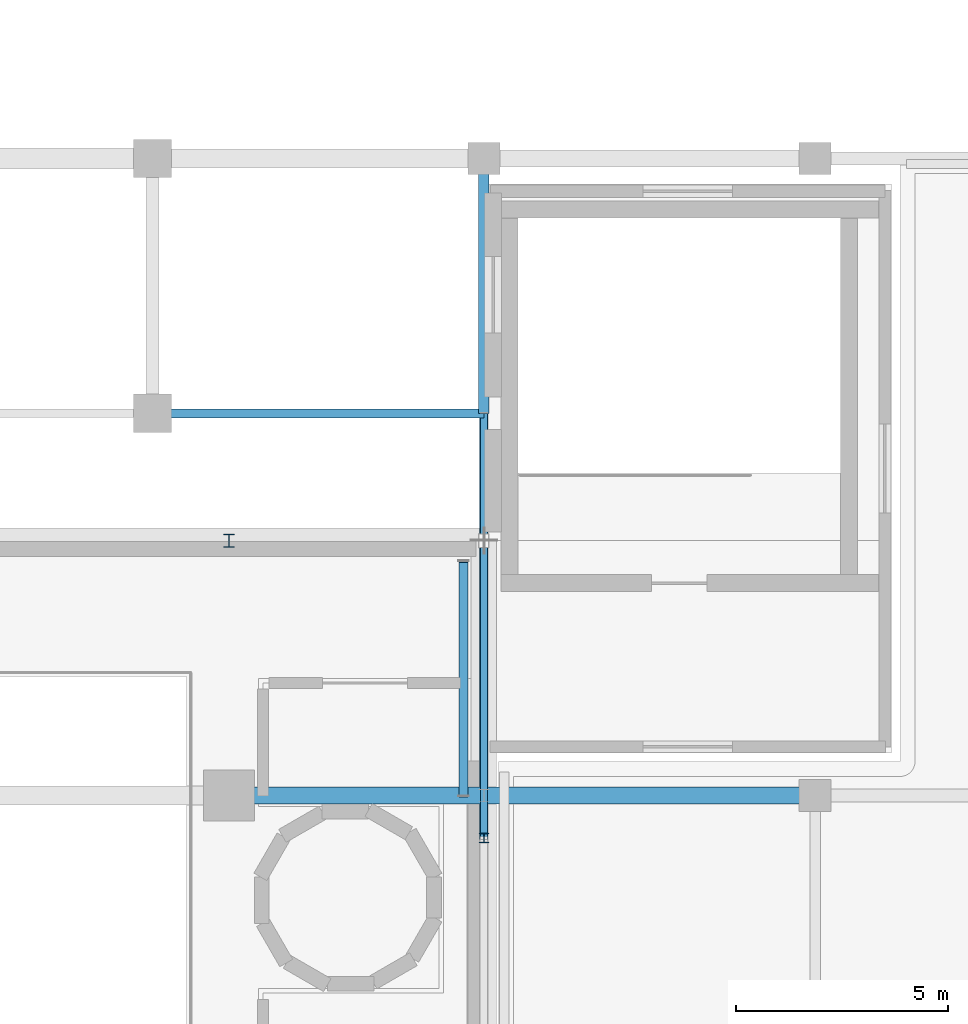
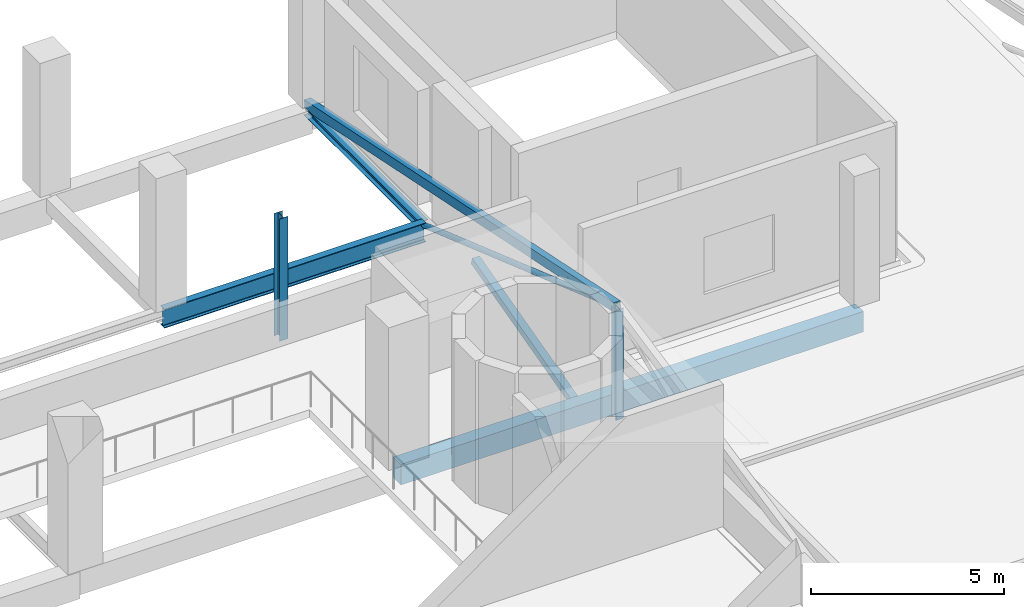
# One storey, part 36 of 85: 6 members, 2 beams.
"""IFC4 building model written with IfcOpenShell, lengths in metres."""

from ifc_helpers import new_model, si_unit, derived_unit, direction, frame, origin, origin_2d, place, context, subcontext, project, spatial, rectangle, hollow_rectangle, hollow_circle, i_section, extrude, material, material_profile, profile_set, type_object, element, save


model = new_model("IFC4")

# Units and contexts
model_context = context("Model", 3, precision=1e-05, world=origin(), true_north=direction((0.0, 1.0)))
body_context = subcontext(model_context, "Body", "Model", "MODEL_VIEW")
ifc_project = project(units=[si_unit("LENGTHUNIT", "METRE"), si_unit("AREAUNIT", "SQUARE_METRE"), si_unit("VOLUMEUNIT", "CUBIC_METRE"), si_unit("PLANEANGLEUNIT", "RADIAN"), si_unit("MASSUNIT", "GRAM", prefix="KILO"), derived_unit("THERMALTRANSMITTANCEUNIT", [(si_unit("POWERUNIT", "WATT"), 1), (si_unit("LENGTHUNIT", "METRE"), -2), (si_unit("THERMODYNAMICTEMPERATUREUNIT", "KELVIN"), -1)])], contexts=[model_context])

# Site, building, storey
site_placement = place(None, origin())
site = spatial("IfcSite", under=ifc_project, at=site_placement, CompositionType="ELEMENT")
building_placement = place(site_placement, origin())
building = spatial("IfcBuilding", under=site, at=building_placement, Name="Nallur Shell Playhouse", CompositionType="ELEMENT")
storey_placement = place(building_placement, frame((0.0, 0.0, 19.800048828125)))
storey = spatial("IfcBuildingStorey", under=building, at=storey_placement, Name="L05", CompositionType="ELEMENT", Elevation=19.800048828125)

# Beams
ifc_material_1 = material(Name="Concrete M35", Category="concrete")
ifc_material_profile_1 = material_profile(ifc_material_1, rectangle(XDim=0.39990234375, YDim=0.64990234375, at=origin_2d()), Name="RC 400x650")
ifc_profile_set_1 = profile_set([ifc_material_profile_1], Name="Concrete M35")
beam_type_1 = type_object("IfcBeamType", Name="BM-RC-400x650", PredefinedType="BEAM", material=ifc_profile_set_1)
beam_1_placement = place(storey_placement, frame((112.60009765625, 41.0, -0.5849609375), z_axis=(1.0, 0.0, 0.0), x_axis=(0.0, 1.0, 0.0)))
element("IfcBeam", 1, at=beam_1_placement, inside=storey, type_object=beam_type_1, Name="L05 girder X-E-959", PredefinedType="BEAM", context=body_context, shape_type="SweptSolid", body=[
    extrude(rectangle(XDim=0.39990234375, YDim=0.64990234375, at=origin_2d()), origin(), (0.0, 0.0, 1.0), 13.7998046875),
])
ifc_material_2 = material(Name="Steel E350", Category="steel")
ifc_material_profile_2 = material_profile(ifc_material_2, i_section(OverallWidth=0.2099609375, OverallDepth=0.60009765625, WebThickness=0.011962890625, FlangeThickness=0.020751953125, FilletRadius=0.02001953125, at=origin_2d()), Name="ISMB 600")
ifc_profile_set_2 = profile_set([ifc_material_profile_2], Name="Steel E350")
beam_type_2 = type_object("IfcBeamType", Name="BM-ST-ISMB600", PredefinedType="BEAM", material=ifc_profile_set_2)
beam_2_placement = place(storey_placement, frame((110.800048828125, 50.0, -0.550048828125), z_axis=(1.0, 0.0, 0.0), x_axis=(0.0, 1.0, 0.0)))
element("IfcBeam", 2, at=beam_2_placement, inside=storey, type_object=beam_type_2, Name="L05 girder X-F-968", PredefinedType="BEAM", context=body_context, shape_type="SweptSolid", body=[
    extrude(i_section(OverallWidth=0.2099609375, OverallDepth=0.60009765625, WebThickness=0.011962890625, FlangeThickness=0.020751953125, FilletRadius=0.02001953125, at=origin_2d()), origin(), (0.0, 0.0, 1.0), 7.800048828125),
])

# Members
ifc_material_profile_3 = material_profile(ifc_material_2, i_section(OverallWidth=0.25, OverallDepth=0.300048828125, WebThickness=0.009521484375, FlangeThickness=0.010498046875, FilletRadius=0.010986328125, at=origin_2d()), Name="ISHB 300")
ifc_profile_set_3 = profile_set([ifc_material_profile_3], Name="Steel E350")
member_type_1 = type_object("IfcMemberType", Name="MB-FASCIA-POST", PredefinedType="POST", material=ifc_profile_set_3)
member_1_placement = place(storey_placement, frame((112.60009765625, 47.0, 0.0), z_axis=(0.0, 0.0, 1.0), x_axis=(1.0, 0.0, 0.0)))
element("IfcMember", 3, at=member_1_placement, inside=storey, type_object=member_type_1, Name="Cantilever truss fascia post POST-GB-L05-10", PredefinedType="POST", context=body_context, shape_type="SweptSolid", body=[
    extrude(i_section(OverallWidth=0.25, OverallDepth=0.300048828125, WebThickness=0.009521484375, FlangeThickness=0.010498046875, FilletRadius=0.010986328125, at=origin_2d()), origin(), (0.0, 0.0, 1.0), 3.85595703125),
])
ifc_material_profile_4 = material_profile(ifc_material_2, hollow_rectangle(XDim=0.219970703125, YDim=0.219970703125, WallThickness=0.011962890625, at=origin_2d()), Name="SHS 220x220x12")
ifc_profile_set_4 = profile_set([ifc_material_profile_4], Name="Steel E350")
member_type_2 = type_object("IfcMemberType", Name="MB-FT-BRACE2", PredefinedType="BRACE", material=ifc_profile_set_4)
member_2_placement = place(storey_placement, frame((118.1201171875, 41.0, -0.650146484375), z_axis=(0.0, 0.967179733798, 0.254093216221), x_axis=(-1.0, 0.0, 0.0)))
element("IfcMember", 4, at=member_2_placement, inside=storey, type_object=member_type_2, Name="Gold box fascia brace L05-4", PredefinedType="BRACE", context=body_context, shape_type="SweptSolid", body=[
    extrude(hollow_rectangle(XDim=0.219970703125, YDim=0.219970703125, WallThickness=0.011962890625, at=origin_2d()), origin(), (0.0, 0.0, 1.0), 5.707275390625),
])
ifc_material_profile_5 = material_profile(ifc_material_2, hollow_rectangle(XDim=0.199951171875, YDim=0.300048828125, WallThickness=0.011962890625, at=origin_2d()), Name="RHS 300x200x12")
ifc_profile_set_5 = profile_set([ifc_material_profile_5], Name="Steel E350")
member_type_3 = type_object("IfcMemberType", Name="MB-TR-CHORD1", PredefinedType="CHORD", material=ifc_profile_set_5)
member_3_placement = place(storey_placement, frame((118.60009765625, 40.0, 3.100830078125), z_axis=(0.0, 0.979376403383, -0.202044204311), x_axis=(-1.0, 0.0, 0.0)))
element("IfcMember", 5, at=member_3_placement, inside=storey, type_object=member_type_3, Name="ROOF TRUSS Studio north top chord X=118.6", PredefinedType="CHORD", context=body_context, shape_type="SweptSolid", body=[
    extrude(hollow_rectangle(XDim=0.199951171875, YDim=0.300048828125, WallThickness=0.011962890625, at=origin_2d()), origin(), (0.0, 0.0, 1.0), 16.3369140625),
])
ifc_material_profile_6 = material_profile(ifc_material_2, i_section(OverallWidth=0.25, OverallDepth=0.25, WebThickness=0.0087890625, FlangeThickness=0.009765625, FilletRadius=0.010009765625, at=origin_2d()), Name="ISHB 250")
ifc_profile_set_6 = profile_set([ifc_material_profile_6], Name="Steel E350")
member_type_4 = type_object("IfcMemberType", Name="MB-TR-CHORD2", PredefinedType="CHORD", material=ifc_profile_set_6)
member_4_placement = place(storey_placement, frame((118.60009765625, 50.0, -0.380126953125), z_axis=(0.0, 1.0, 0.0), x_axis=(-1.0, 0.0, 0.0)))
element("IfcMember", 6, at=member_4_placement, inside=storey, type_object=member_type_4, Name="ROOF TRUSS Studio bottom chord X=118.6 (50.0-56.0)", PredefinedType="CHORD", context=body_context, shape_type="SweptSolid", body=[
    extrude(i_section(OverallWidth=0.25, OverallDepth=0.25, WebThickness=0.0087890625, FlangeThickness=0.009765625, FilletRadius=0.010009765625, at=origin_2d()), origin(), (0.0, 0.0, 1.0), 6.0),
])
ifc_material_profile_7 = material_profile(ifc_material_2, i_section(OverallWidth=0.22509765625, OverallDepth=0.22509765625, WebThickness=0.008544921875, FlangeThickness=0.009033203125, FilletRadius=0.010009765625, at=origin_2d()), Name="ISHB 225")
ifc_profile_set_7 = profile_set([ifc_material_profile_7], Name="Steel E350")
member_type_5 = type_object("IfcMemberType", Name="MB-TR-POST", PredefinedType="POST", material=ifc_profile_set_7)
member_5_placement = place(storey_placement, frame((118.60009765625, 40.0, -0.380126953125), z_axis=(0.0, 0.0, 1.0), x_axis=(1.0, 0.0, 0.0)))
element("IfcMember", 7, at=member_5_placement, inside=storey, type_object=member_type_5, Name="ROOF TRUSS Studio king post X=118.6", PredefinedType="POST", context=body_context, shape_type="SweptSolid", body=[
    extrude(i_section(OverallWidth=0.22509765625, OverallDepth=0.22509765625, WebThickness=0.008544921875, FlangeThickness=0.009033203125, FilletRadius=0.010009765625, at=origin_2d()), origin(), (0.0, 0.0, 1.0), 3.48095703125),
])
ifc_material_profile_8 = material_profile(ifc_material_2, hollow_circle(Radius=0.084228515625, WallThickness=0.008056640625, at=origin_2d()), Name="CHS 168.3x8")
ifc_profile_set_8 = profile_set([ifc_material_profile_8], Name="Steel E350")
member_type_6 = type_object("IfcMemberType", Name="MB-TR-WEB3", PredefinedType="BRACE", material=ifc_profile_set_8)
member_6_placement = place(storey_placement, frame((118.60009765625, 50.0, -0.380126953125), z_axis=(0.0, -0.944417761002, 0.32874776456), x_axis=(1.0, 0.0, 0.0)))
element("IfcMember", 8, at=member_6_placement, inside=storey, type_object=member_type_6, Name="ROOF TRUSS Studio web diagonal 118.6.2", PredefinedType="BRACE", context=body_context, shape_type="SweptSolid", body=[
    extrude(hollow_circle(Radius=0.084228515625, WallThickness=0.008056640625, at=origin_2d()), origin(), (0.0, 0.0, 1.0), 10.588623046875),
])

save(model, "model.ifc")
